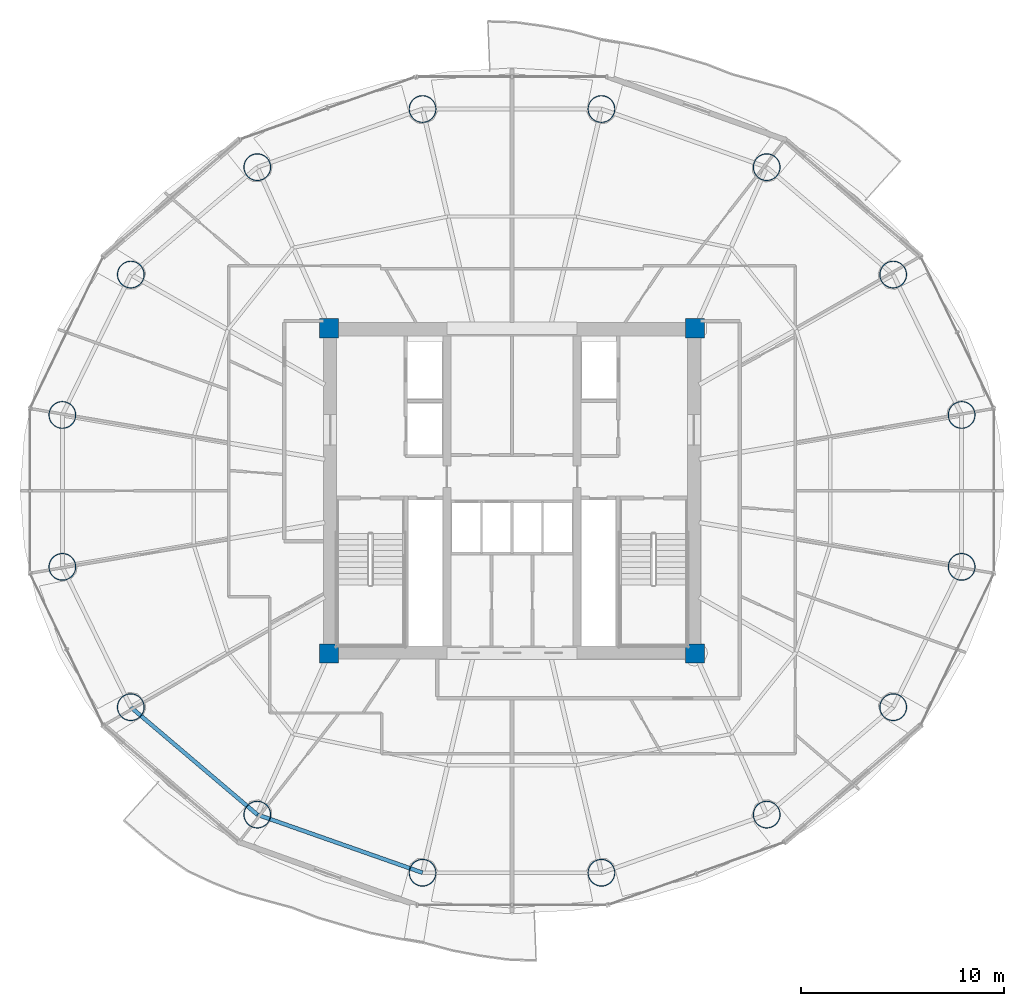
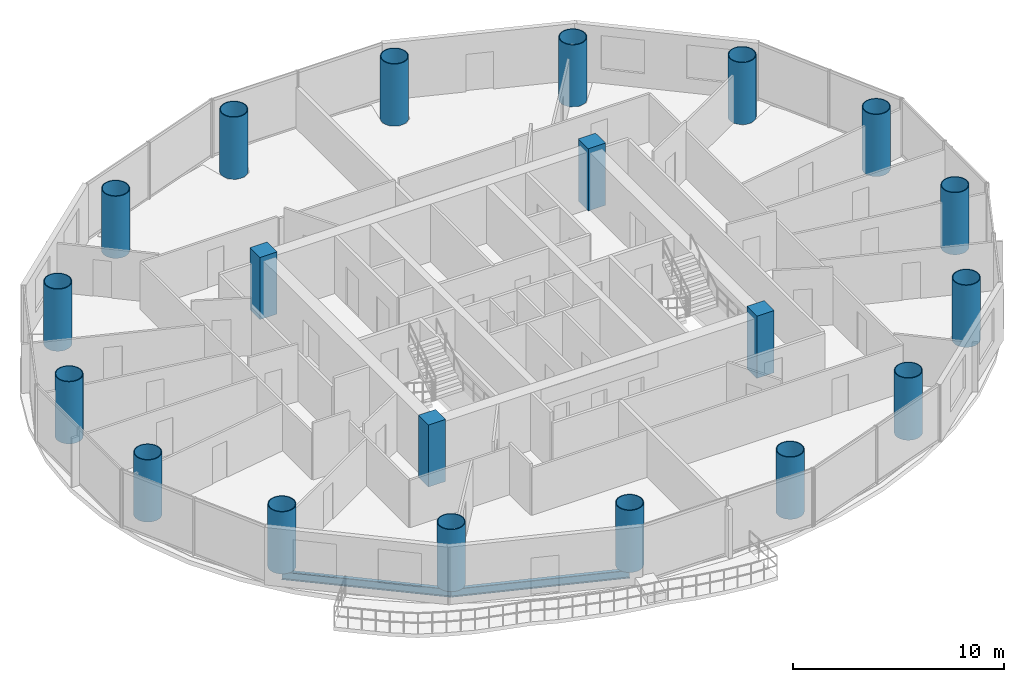
# One storey, part 1 of 26: 20 columns, 2 beams.
"""IFC4 building model written with IfcOpenShell, lengths in metres."""

import ifcopenshell
import ifcopenshell.guid

model = None  # the IFC model being written
_history = None  # IfcOwnerHistory: only IFC2X3 demands one
_inside = {}  # id of a spatial element -> (the spatial element, [elements in it])
_under = {}  # id of a project, library or spatial element -> (it, [spatial elements below it])
_declared = {}  # id of a project -> (the project, [libraries it declares])
_typed = {}  # id of a type object -> (the type object, [elements of that type])
_made_of = {}  # id of a material, layer set ... -> (it, [elements and type objects made of it])


def new_model(schema):
    """Start an empty IFC model of exactly this schema.

    Asked for "IFC4X3", IfcOpenShell would pick the latest addendum, in which some entities
    have other attributes; the version numbers below select the first issue.
    IFC2X3 requires an IfcOwnerHistory on every rooted entity: one is made here for all.
    """
    global model, _history
    if schema == "IFC4X3":
        model = ifcopenshell.file(schema_version=(4, 3, 0, 0))
    else:
        model = ifcopenshell.file(schema=schema)
    _inside.clear()
    _under.clear()
    _declared.clear()
    _typed.clear()
    _made_of.clear()
    _history = None
    if model.schema == "IFC2X3":
        org = make("IfcOrganization", Name="unknown")
        user = make(
            "IfcPersonAndOrganization",
            ThePerson=make("IfcPerson", FamilyName="unknown"),
            TheOrganization=org,
        )
        app = make(
            "IfcApplication",
            ApplicationDeveloper=org,
            Version="unknown",
            ApplicationFullName="unknown",
            ApplicationIdentifier="unknown",
        )
        _history = make(
            "IfcOwnerHistory",
            OwningUser=user,
            OwningApplication=app,
            ChangeAction="ADDED",
            CreationDate=0,
        )
    return model


def make(cls, **values):
    """One entity of the class cls with the attributes given. An attribute that is None is left unset."""
    return model.create_entity(
        cls, **{name: value for name, value in values.items() if value is not None}
    )


def rooted(cls, **values):
    """An entity with a GlobalId (a new one), such as an element, a storey or a relation."""
    return make(cls, GlobalId=ifcopenshell.guid.new(), OwnerHistory=_history, **values)


def si_unit(unit_type, name, prefix=None):
    """IfcSIUnit, for example si_unit("LENGTHUNIT", "METRE", prefix="MILLI")."""
    return make("IfcSIUnit", UnitType=unit_type, Prefix=prefix, Name=name)


def assignment(units):
    """IfcUnitAssignment: the units of a project."""
    return None if units is None else make("IfcUnitAssignment", Units=units)


def point(xyz):
    """IfcCartesianPoint."""
    return None if xyz is None else make("IfcCartesianPoint", Coordinates=xyz)


def direction(xyz):
    """IfcDirection."""
    return None if xyz is None else make("IfcDirection", DirectionRatios=xyz)


def frame(location, z_axis=None, x_axis=None):
    """IfcAxis2Placement3D, a coordinate frame: its origin and axes. An axis left out is left unset."""
    return make(
        "IfcAxis2Placement3D",
        Location=point(location),
        Axis=direction(z_axis),
        RefDirection=direction(x_axis),
    )


def frame_2d(location, x_axis=None):
    """IfcAxis2Placement2D, a coordinate frame in the plane: its origin and x axis."""
    return make(
        "IfcAxis2Placement2D", Location=point(location), RefDirection=direction(x_axis)
    )


def origin():
    """The frame at (0, 0, 0) with its axes left unset."""
    return frame((0.0, 0.0, 0.0))


def origin_2d():
    """The frame at (0, 0) in the plane with its x axis left unset."""
    return frame_2d((0.0, 0.0))


def place(relative_to, where):
    """IfcLocalPlacement: puts the frame where relative to a parent placement (None: the world)."""
    return make(
        "IfcLocalPlacement", PlacementRelTo=relative_to, RelativePlacement=where
    )


def context(
    kind, dimensions, precision=None, world=None, true_north=None, identifier=None
):
    """IfcGeometricRepresentationContext, for example the 3D "Model" context."""
    return make(
        "IfcGeometricRepresentationContext",
        ContextIdentifier=identifier,
        ContextType=kind,
        CoordinateSpaceDimension=dimensions,
        Precision=precision,
        WorldCoordinateSystem=world,
        TrueNorth=true_north,
    )


def subcontext(parent, identifier, kind, view, scale=None):
    """IfcGeometricRepresentationSubContext, for example "Body" below "Model"."""
    return make(
        "IfcGeometricRepresentationSubContext",
        ContextIdentifier=identifier,
        ContextType=kind,
        ParentContext=parent,
        TargetScale=scale,
        TargetView=view,
    )


def project(units=None, contexts=None):
    """IfcProject with its units and contexts."""
    return rooted(
        "IfcProject",
        Name="project",
        RepresentationContexts=contexts,
        UnitsInContext=assignment(units),
    )


def spatial(cls, under=None, at=None, **own):
    """A site, building, storey or space (cls), placed at a placement, below another one or the project."""
    s = rooted(cls, ObjectPlacement=at, **own)
    if under is not None:
        _under.setdefault(under.id(), (under, []))[1].append(s)
    return s


def profile(cls, at=None, kind="AREA", **sizes):
    """A parametric profile (cls). Its sizes go by their IFC names, for example OverallWidth=200.0."""
    return make(cls, ProfileType=kind, Position=at, **sizes)


def rectangle(**sizes):
    """IfcRectangleProfileDef."""
    return profile("IfcRectangleProfileDef", **sizes)


def hollow_circle(**sizes):
    """IfcCircleHollowProfileDef."""
    return profile("IfcCircleHollowProfileDef", **sizes)


def i_section(**sizes):
    """IfcIShapeProfileDef."""
    return profile("IfcIShapeProfileDef", **sizes)


def extrude(swept, where, along, depth):
    """IfcExtrudedAreaSolid: the profile swept, set in the frame where, extruded along a direction by depth."""
    return make(
        "IfcExtrudedAreaSolid",
        SweptArea=swept,
        Position=where,
        ExtrudedDirection=direction(along),
        Depth=depth,
    )


def shape(context_of_items, identifier, shape_type, items):
    """IfcShapeRepresentation: the items that make up one representation, for example the "Body"."""
    return make(
        "IfcShapeRepresentation",
        ContextOfItems=context_of_items,
        RepresentationIdentifier=identifier,
        RepresentationType=shape_type,
        Items=items,
    )


def material(Name=None, Category=None):
    """IfcMaterial."""
    return make("IfcMaterial", Name=Name, Category=Category)


def material_profile(
    of_material, cross_section, Name=None, Category=None, Priority=None
):
    """IfcMaterialProfile: a cross section and its material."""
    return make(
        "IfcMaterialProfile",
        Name=Name,
        Material=of_material,
        Profile=cross_section,
        Priority=Priority,
        Category=Category,
    )


def profile_set(profiles, Name=None, composite=None):
    """IfcMaterialProfileSet."""
    return make(
        "IfcMaterialProfileSet",
        Name=Name,
        MaterialProfiles=profiles,
        CompositeProfile=composite,
    )


def made_of(thing, what):
    """Note that an element or type object is made of a material, layer set ...; save() writes the relation."""
    if what is not None:
        _made_of.setdefault(what.id(), (what, []))[1].append(thing)
    return thing


def type_object(cls, material=None, **own):
    """A type object (cls), such as IfcWallType, which elements share."""
    return made_of(rooted(cls, **own), material)


def element(
    cls,
    number,
    at=None,
    inside=None,
    cuts=None,
    type_object=None,
    material=None,
    context=None,
    identifier="Body",
    shape_type=None,
    held_by="IfcProductDefinitionShape",
    body=None,
    shapes=None,
    **own,
):
    """One element of the class cls, such as IfcWall. Its Tag is "e" and its number.

    at: its placement. inside: the storey or other place that contains it. cuts: it is an
    opening in that element (IfcRelVoidsElement). A single representation is given by context,
    identifier, shape_type and body (its items); several are given by shapes. held_by: the class
    of the entity that holds the representations. save() writes the other relations.
    """
    e = rooted(cls, Tag="e%d" % number, ObjectPlacement=at, **own)
    if body is not None:
        shapes = [shape(context, identifier, shape_type, body)]
    if shapes is not None:
        e.Representation = make(held_by, Representations=shapes)
    if inside is not None:
        _inside.setdefault(inside.id(), (inside, []))[1].append(e)
    if cuts is not None:
        rooted(
            "IfcRelVoidsElement", RelatingBuildingElement=cuts, RelatedOpeningElement=e
        )
    if type_object is not None:
        _typed.setdefault(type_object.id(), (type_object, []))[1].append(e)
    return made_of(e, material)


def aggregate(whole, parts):
    """IfcRelAggregates: a whole, such as a stair, and the parts it consists of."""
    return rooted("IfcRelAggregates", RelatingObject=whole, RelatedObjects=parts)


def save(model, path):
    """Write the relations noted so far, then the file.

    IfcRelAggregates (storeys below a building ...), IfcRelContainedInSpatialStructure (elements
    in a storey), IfcRelDefinesByType, IfcRelAssociatesMaterial and IfcRelDeclares: one each for
    every whole, place, type object, material and project.
    """
    for whole, parts in _under.values():
        aggregate(whole, parts)
    for where, things in _inside.values():
        rooted(
            "IfcRelContainedInSpatialStructure",
            RelatedElements=things,
            RelatingStructure=where,
        )
    for kind, things in _typed.values():
        rooted("IfcRelDefinesByType", RelatedObjects=things, RelatingType=kind)
    for what, things in _made_of.values():
        rooted("IfcRelAssociatesMaterial", RelatedObjects=things, RelatingMaterial=what)
    for by, libraries in _declared.values():
        rooted("IfcRelDeclares", RelatingContext=by, RelatedDefinitions=libraries)
    model.write(path)


model = new_model("IFC4")

# Units and contexts
model_context = context("Model", 3, precision=1e-05, world=origin(), true_north=direction((-0.2419218956, 0.970295726276)))
body_context = subcontext(model_context, "Body", "Model", "MODEL_VIEW")
ifc_project = project(units=[si_unit("LENGTHUNIT", "METRE"), si_unit("AREAUNIT", "SQUARE_METRE"), si_unit("VOLUMEUNIT", "CUBIC_METRE"), si_unit("PLANEANGLEUNIT", "RADIAN"), si_unit("MASSUNIT", "GRAM", prefix="KILO")], contexts=[model_context])

# Site, building, storey
site_placement = place(None, origin())
site = spatial("IfcSite", under=ifc_project, at=site_placement, CompositionType="ELEMENT")
building_placement = place(site_placement, origin())
building = spatial("IfcBuilding", under=site, at=building_placement, Name="Cobrevalo Terracotta Tower", CompositionType="ELEMENT")
storey_placement = place(building_placement, frame((0.0, 0.0, 175.0)))
storey = spatial("IfcBuildingStorey", under=building, at=storey_placement, Name="L46", CompositionType="ELEMENT", Elevation=175.0)

# Columns
ifc_material_1 = material(Name="Steel S355", Category="steel")
ifc_material_profile_1 = material_profile(ifc_material_1, hollow_circle(Radius=0.675048828125, WallThickness=0.0419921875, at=origin_2d()), Name="CHS 1350x42")
ifc_profile_set_1 = profile_set([ifc_material_profile_1], Name="Steel S355")
column_type_1 = type_object("IfcColumnType", Name="Structural Column CHS 1350x42 (Steel S355)", PredefinedType="COLUMN", material=ifc_profile_set_1)
for number, where, z_axis, x_axis, name in (
    (1, (60.11669921875, 30.535888671875, 0.0), (0.0, 0.0, 1.0), (1.0, 0.0, 0.0), "L46 composite megacolumn MC01"),
    (2, (56.749755859375, 37.439208984375, 0.0), (0.0, 0.0, 1.0), (1.0, 0.0, 0.0), "L46 composite megacolumn MC02"),
    (3, (50.528076171875, 42.72265625, 0.0), (0.0, 0.0, 1.0), (1.0, 0.0, 0.0), "L46 composite megacolumn MC03"),
    (4, (42.399169921875, 45.58203125, 0.0), (0.0, 0.0, 1.0), (1.0, 0.0, 0.0), "L46 composite megacolumn MC04"),
    (5, (33.600830078125, 45.58203125, 0.0), (0.0, 0.0, 1.0), (1.0, 0.0, 0.0), "L46 composite megacolumn MC05"),
    (6, (25.471923828125, 42.72265625, 0.0), (0.0, 0.0, 1.0), (1.0, 0.0, 0.0), "L46 composite megacolumn MC06"),
    (7, (19.250244140625, 37.439208984375, 0.0), (0.0, 0.0, 1.0), (1.0, 0.0, 0.0), "L46 composite megacolumn MC07"),
    (8, (15.88330078125, 30.535888671875, 0.0), (0.0, 0.0, 1.0), (1.0, 0.0, 0.0), "L46 composite megacolumn MC08"),
    (9, (15.88330078125, 23.06396484375, 0.0), (0.0, 0.0, 1.0), (1.0, 0.0, 0.0), "L46 composite megacolumn MC09"),
    (10, (19.250244140625, 16.160888671875, 0.0), (0.0, 0.0, 1.0), (1.0, 0.0, 0.0), "L46 composite megacolumn MC10"),
    (11, (25.471923828125, 10.87744140625, 0.0), (0.0, 0.0, 1.0), (1.0, 0.0, 0.0), "L46 composite megacolumn MC11"),
    (12, (33.600830078125, 8.01806640625, 0.0), (0.0, 0.0, 1.0), (1.0, 0.0, 0.0), "L46 composite megacolumn MC12"),
    (13, (42.399169921875, 8.01806640625, 0.0), (0.0, 0.0, 1.0), (1.0, 0.0, 0.0), "L46 composite megacolumn MC13"),
    (14, (50.528076171875, 10.87744140625, 0.0), (0.0, 0.0, 1.0), (1.0, 0.0, 0.0), "L46 composite megacolumn MC14"),
    (15, (56.749755859375, 16.160888671875, 0.0), (0.0, 0.0, 1.0), (1.0, 0.0, 0.0), "L46 composite megacolumn MC15"),
    (16, (60.11669921875, 23.06396484375, 0.0), (0.0, 0.0, 1.0), (1.0, 0.0, 0.0), "L46 composite megacolumn MC16"),
):
    element("IfcColumn", number, at=place(storey_placement, frame(where, z_axis=z_axis, x_axis=x_axis)), inside=storey, type_object=column_type_1, Name=name, PredefinedType="COLUMN", context=body_context, shape_type="SweptSolid", body=[
        extrude(hollow_circle(Radius=0.675048828125, WallThickness=0.0419921875, at=origin_2d()), origin(), (0.0, 0.0, 1.0), 3.60009765625),
    ])
ifc_material_2 = material(Name="Concrete C55", Category="concrete")
ifc_material_profile_2 = material_profile(ifc_material_2, rectangle(XDim=0.949951171875, YDim=0.949951171875, at=origin_2d()), Name="RC COL 950x950")
ifc_profile_set_2 = profile_set([ifc_material_profile_2], Name="Concrete C55")
column_type_2 = type_object("IfcColumnType", Name="Structural Column RC COL 950x950 (Concrete C55)", PredefinedType="COLUMN", material=ifc_profile_set_2)
for number, where, z_axis, x_axis, name in (
    (17, (29.0, 18.800048828125, 0.0), (0.0, 0.0, 1.0), (1.0, 0.0, 0.0), "L46 core corner column CC1"),
    (18, (47.0, 18.800048828125, 0.0), (0.0, 0.0, 1.0), (1.0, 0.0, 0.0), "L46 core corner column CC2"),
    (19, (47.0, 34.800048828125, 0.0), (0.0, 0.0, 1.0), (1.0, 0.0, 0.0), "L46 core corner column CC3"),
    (20, (29.0, 34.800048828125, 0.0), (0.0, 0.0, 1.0), (1.0, 0.0, 0.0), "L46 core corner column CC4"),
):
    element("IfcColumn", number, at=place(storey_placement, frame(where, z_axis=z_axis, x_axis=x_axis)), inside=storey, type_object=column_type_2, Name=name, PredefinedType="COLUMN", context=body_context, shape_type="SweptSolid", body=[
        extrude(rectangle(XDim=0.949951171875, YDim=0.949951171875, at=origin_2d()), origin(), (0.0, 0.0, 1.0), 3.60009765625),
    ])

# Beams
ifc_material_profile_3 = material_profile(ifc_material_1, i_section(OverallWidth=0.194091796875, OverallDepth=0.468994140625, WebThickness=0.011474609375, FlangeThickness=0.0205078125, at=origin_2d()), Name="W 460x106")
ifc_profile_set_3 = profile_set([ifc_material_profile_3], Name="Steel S355")
beam_type = type_object("IfcBeamType", Name="Structural Spandrel W 460x106 (Steel S355)", PredefinedType="SPANDREL", material=ifc_profile_set_3)
beam_1_placement = place(storey_placement, frame((19.250244140625, 16.160888671875, -0.50439453125), z_axis=(0.762240337798, -0.647294112003, 0.0), x_axis=(0.647294112003, 0.762240337798, 0.0)))
element("IfcBeam", 21, at=beam_1_placement, inside=storey, type_object=beam_type, Name="L46 perimeter ring spandrel 10", PredefinedType="SPANDREL", context=body_context, shape_type="SweptSolid", body=[
    extrude(i_section(OverallWidth=0.194091796875, OverallDepth=0.468994140625, WebThickness=0.011474609375, FlangeThickness=0.0205078125, at=origin_2d()), origin(), (0.0, 0.0, 1.0), 8.162353515625),
])
beam_2_placement = place(storey_placement, frame((25.471923828125, 10.87744140625, -0.50439453125), z_axis=(0.943341298492, -0.331824041565, 0.0), x_axis=(0.331824041565, 0.943341298492, 0.0)))
element("IfcBeam", 22, at=beam_2_placement, inside=storey, type_object=beam_type, Name="L46 perimeter ring spandrel 11", PredefinedType="SPANDREL", context=body_context, shape_type="SweptSolid", body=[
    extrude(i_section(OverallWidth=0.194091796875, OverallDepth=0.468994140625, WebThickness=0.011474609375, FlangeThickness=0.0205078125, at=origin_2d()), origin(), (0.0, 0.0, 1.0), 8.6171875),
])

save(model, "model.ifc")
